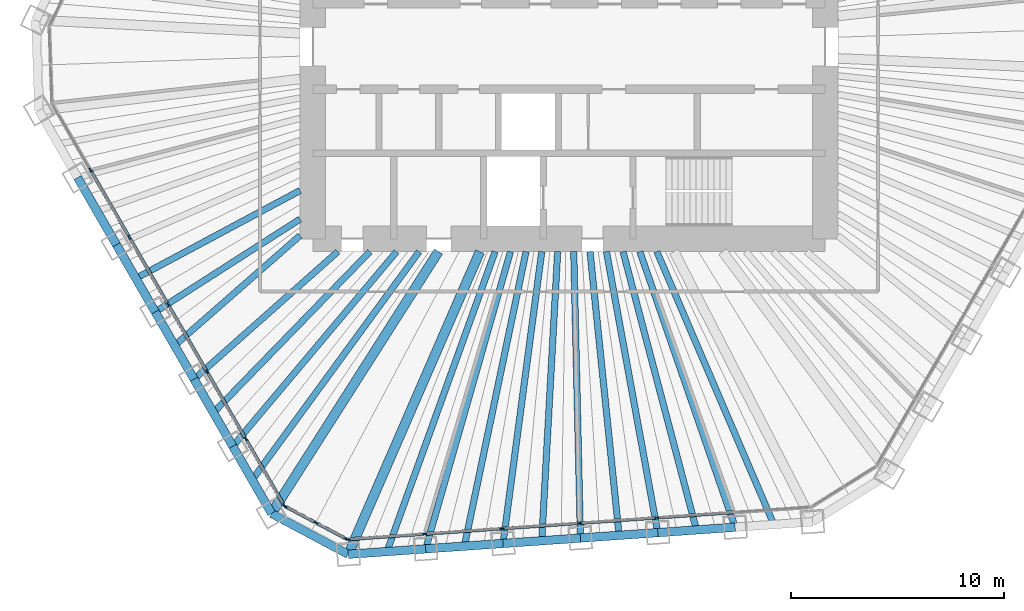
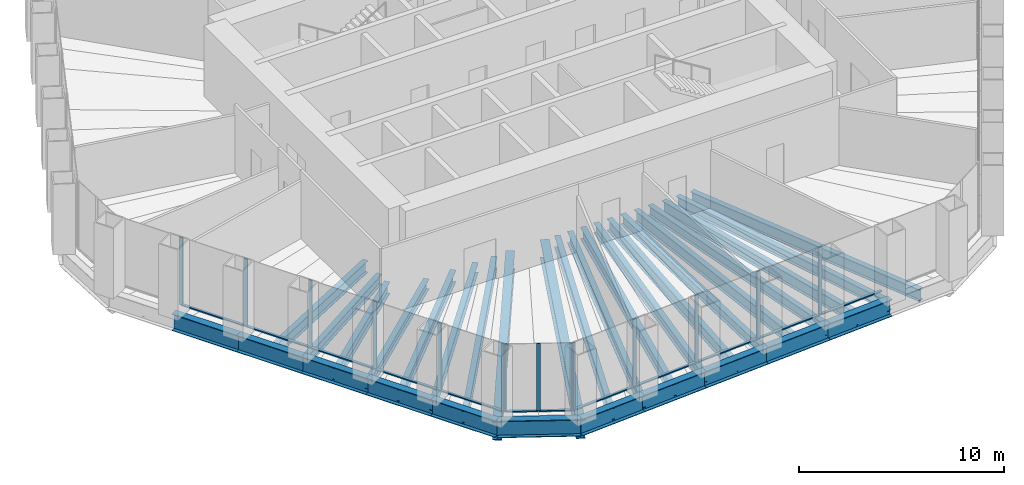
# One storey, part 2 of 13: 31 beams, 26 members, 3 elements without a shape of their own.
"""IFC4 building model written with IfcOpenShell, lengths in metres."""

from ifc_helpers import new_model, si_unit, direction, frame, origin, origin_2d, place, context, subcontext, project, spatial, rectangle, i_section, extrude, material, material_profile, profile_set, type_object, element, aggregate, save


model = new_model("IFC4")

# Units and contexts
model_context = context("Model", 3, precision=1e-05, world=origin(), true_north=direction((0.0, 1.0)))
body_context = subcontext(model_context, "Body", "Model", "MODEL_VIEW")
ifc_project = project(units=[si_unit("LENGTHUNIT", "METRE"), si_unit("AREAUNIT", "SQUARE_METRE"), si_unit("VOLUMEUNIT", "CUBIC_METRE"), si_unit("PLANEANGLEUNIT", "RADIAN"), si_unit("MASSUNIT", "GRAM", prefix="KILO")], contexts=[model_context])

# Site, building, storey
site_placement = place(None, origin())
site = spatial("IfcSite", under=ifc_project, at=site_placement, CompositionType="ELEMENT")
building_placement = place(site_placement, origin())
building = spatial("IfcBuilding", under=site, at=building_placement, Name="Qingtian Harvest Tower", CompositionType="ELEMENT")
storey_placement = place(building_placement, frame((0.0, 0.0, 209.800048828125)))
storey = spatial("IfcBuildingStorey", under=building, at=storey_placement, Name="L45", CompositionType="ELEMENT", Elevation=209.800048828125)

# Beams
ifc_material_1 = material(Name="Steel SM570MC", Category="steel")
ifc_material_profile_1 = material_profile(ifc_material_1, i_section(OverallWidth=0.449951171875, OverallDepth=1.10009765625, WebThickness=0.02197265625, FlangeThickness=0.044921875, at=origin_2d()), Name="H1100x450x22x45")
ifc_profile_set_1 = profile_set([ifc_material_profile_1], Name="Steel SM570MC")
beam_type_1 = type_object("IfcBeamType", Name="Corner floor beam FB8 H1100x450x22x45", PredefinedType="BEAM", material=ifc_profile_set_1)
beam_1_placement = place(storey_placement, frame((-10.33837890625, -23.779052734375, -0.719970703125), z_axis=(0.398714563353, 0.917075077063, 0.0), x_axis=(-0.917075077063, 0.398714563353, 0.0)))
element("IfcBeam", 1, at=beam_1_placement, inside=storey, type_object=beam_type_1, Name="Floor beam FB8 S6", PredefinedType="BEAM", context=body_context, shape_type="SweptSolid", body=[
    extrude(i_section(OverallWidth=0.449951171875, OverallDepth=1.10009765625, WebThickness=0.02197265625, FlangeThickness=0.044921875, at=origin_2d()), origin(), (0.0, 0.0, 1.0), 15.461181640625),
])
beam_2_placement = place(storey_placement, frame((-13.9326171875, -21.8681640625, -0.719970703125), z_axis=(0.537326103898, 0.8433745657, 0.0), x_axis=(-0.8433745657, 0.537326103898, 0.0)))
element("IfcBeam", 2, at=beam_2_placement, inside=storey, type_object=beam_type_1, Name="Floor beam FB8 SW0", PredefinedType="BEAM", context=body_context, shape_type="SweptSolid", body=[
    extrude(i_section(OverallWidth=0.449951171875, OverallDepth=1.10009765625, WebThickness=0.02197265625, FlangeThickness=0.044921875, at=origin_2d()), origin(), (0.0, 0.0, 1.0), 14.54638671875),
])
ifc_material_2 = material(Name="Steel SN490B", Category="steel")
ifc_material_profile_2 = material_profile(ifc_material_2, i_section(OverallWidth=0.300048828125, OverallDepth=0.699951171875, WebThickness=0.012939453125, FlangeThickness=0.02392578125, at=origin_2d()), Name="H700x300x13x24")
ifc_profile_set_2 = profile_set([ifc_material_profile_2], Name="Steel SN490B")
beam_type_2 = type_object("IfcBeamType", Name="Floor beam FB2 H700x300x13x24", PredefinedType="BEAM", material=ifc_profile_set_2)
beam_3_placement = place(storey_placement, frame((-6.713623046875, -23.525634765625, -0.52001953125), z_axis=(0.274411610503, 0.961612327303, 0.0), x_axis=(-0.961612327303, 0.274411610503, 0.0)))
element("IfcBeam", 3, at=beam_3_placement, inside=storey, type_object=beam_type_2, Name="Floor beam FB2 S5", PredefinedType="BEAM", context=body_context, shape_type="SweptSolid", body=[
    extrude(i_section(OverallWidth=0.300048828125, OverallDepth=0.699951171875, WebThickness=0.012939453125, FlangeThickness=0.02392578125, at=origin_2d()), origin(), (0.0, 0.0, 1.0), 14.4814453125),
])
ifc_material_3 = material(Name="Steel SN490B", Category="steel")
ifc_material_profile_3 = material_profile(ifc_material_3, i_section(OverallWidth=0.300048828125, OverallDepth=0.60009765625, WebThickness=0.011962890625, FlangeThickness=0.02001953125, at=origin_2d()), Name="H600x300x12x20")
ifc_profile_set_3 = profile_set([ifc_material_profile_3], Name="Steel SN490B")
beam_type_3 = type_object("IfcBeamType", Name="Floor beam FB3 H600x300x12x20", PredefinedType="BEAM", material=ifc_profile_set_3)
beam_4_placement = place(storey_placement, frame((7.78515625, -22.51171875, -0.469970703125), z_axis=(-0.326844175409, 0.945078242793, 0.0), x_axis=(-0.945078242793, -0.326844175409, 0.0)))
element("IfcBeam", 4, at=beam_4_placement, inside=storey, type_object=beam_type_3, Name="Floor beam FB3 S1", PredefinedType="BEAM", context=body_context, shape_type="SweptSolid", body=[
    extrude(i_section(OverallWidth=0.300048828125, OverallDepth=0.60009765625, WebThickness=0.011962890625, FlangeThickness=0.02001953125, at=origin_2d()), origin(), (0.0, 0.0, 1.0), 13.661865234375),
])
beam_5_placement = place(storey_placement, frame((4.160400390625, -22.76513671875, -0.469970703125), z_axis=(-0.179779537209, 0.983706926885, 0.0), x_axis=(-0.983706926885, -0.179779537209, 0.0)))
element("IfcBeam", 5, at=beam_5_placement, inside=storey, type_object=beam_type_3, Name="Floor beam FB3 S2", PredefinedType="BEAM", context=body_context, shape_type="SweptSolid", body=[
    extrude(i_section(OverallWidth=0.300048828125, OverallDepth=0.60009765625, WebThickness=0.011962890625, FlangeThickness=0.02001953125, at=origin_2d()), origin(), (0.0, 0.0, 1.0), 13.383056640625),
])
beam_6_placement = place(storey_placement, frame((0.53564453125, -23.018798828125, -0.469970703125), z_axis=(-0.023263902078, 0.999729358807, 0.0), x_axis=(-0.999729358807, -0.023263902078, 0.0)))
element("IfcBeam", 6, at=beam_6_placement, inside=storey, type_object=beam_type_3, Name="Floor beam FB3 S3", PredefinedType="BEAM", context=body_context, shape_type="SweptSolid", body=[
    extrude(i_section(OverallWidth=0.300048828125, OverallDepth=0.60009765625, WebThickness=0.011962890625, FlangeThickness=0.02001953125, at=origin_2d()), origin(), (0.0, 0.0, 1.0), 13.42236328125),
])
beam_7_placement = place(storey_placement, frame((-3.089111328125, -23.272216796875, -0.469970703125), z_axis=(0.131593229442, 0.991303799027, 0.0), x_axis=(-0.991303799027, 0.131593229442, 0.0)))
element("IfcBeam", 7, at=beam_7_placement, inside=storey, type_object=beam_type_3, Name="Floor beam FB3 S4", PredefinedType="BEAM", context=body_context, shape_type="SweptSolid", body=[
    extrude(i_section(OverallWidth=0.300048828125, OverallDepth=0.60009765625, WebThickness=0.011962890625, FlangeThickness=0.02001953125, at=origin_2d()), origin(), (0.0, 0.0, 1.0), 13.7919921875),
])
beam_8_placement = place(storey_placement, frame((-15.749267578125, -18.72119140625, -0.469970703125), z_axis=(0.643763532906, 0.765224485821, 0.0), x_axis=(-0.765224485821, 0.643763532906, 0.0)))
element("IfcBeam", 8, at=beam_8_placement, inside=storey, type_object=beam_type_3, Name="Floor beam FB3 SW1", PredefinedType="BEAM", context=body_context, shape_type="SweptSolid", body=[
    extrude(i_section(OverallWidth=0.300048828125, OverallDepth=0.60009765625, WebThickness=0.011962890625, FlangeThickness=0.02001953125, at=origin_2d()), origin(), (0.0, 0.0, 1.0), 11.91943359375),
])
beam_9_placement = place(storey_placement, frame((-17.566162109375, -15.574462890625, -0.469970703125), z_axis=(0.748259768664, 0.663405847577, 0.0), x_axis=(-0.663405847577, 0.748259768664, 0.0)))
element("IfcBeam", 9, at=beam_9_placement, inside=storey, type_object=beam_type_3, Name="Floor beam FB3 SW2", PredefinedType="BEAM", context=body_context, shape_type="SweptSolid", body=[
    extrude(i_section(OverallWidth=0.300048828125, OverallDepth=0.60009765625, WebThickness=0.011962890625, FlangeThickness=0.02001953125, at=origin_2d()), origin(), (0.0, 0.0, 1.0), 9.005615234375),
])
beam_10_placement = place(storey_placement, frame((-19.3828125, -12.427734375, -0.469970703125), z_axis=(0.841823714388, 0.539752567288, 0.0), x_axis=(-0.539752567288, 0.841823714388, 0.0)))
element("IfcBeam", 10, at=beam_10_placement, inside=storey, type_object=beam_type_3, Name="Floor beam FB3 SW3", PredefinedType="BEAM", context=body_context, shape_type="SweptSolid", body=[
    extrude(i_section(OverallWidth=0.300048828125, OverallDepth=0.60009765625, WebThickness=0.011962890625, FlangeThickness=0.02001953125, at=origin_2d()), origin(), (0.0, 0.0, 1.0), 8.05712890625),
])
ifc_material_4 = material(Name="Steel SN490B", Category="steel")
ifc_material_profile_4 = material_profile(ifc_material_4, i_section(OverallWidth=0.300048828125, OverallDepth=0.699951171875, WebThickness=0.012939453125, FlangeThickness=0.02392578125, at=origin_2d()), Name="H700x300x13x24")
ifc_profile_set_4 = profile_set([ifc_material_profile_4], Name="Steel SN490B")
beam_type_4 = type_object("IfcBeamType", Name="Floor joist J2 H700x300x13x24", PredefinedType="JOIST", material=ifc_profile_set_4)
beam_11_placement = place(storey_placement, frame((9.597412109375, -22.385009765625, -0.52001953125), z_axis=(-0.394052741766, 0.919087828614, 0.0), x_axis=(-0.919087828614, -0.394052741766, 0.0)))
element("IfcBeam", 11, at=beam_11_placement, inside=storey, type_object=beam_type_4, Name="Floor joist J2 S0", PredefinedType="JOIST", context=body_context, shape_type="SweptSolid", body=[
    extrude(i_section(OverallWidth=0.300048828125, OverallDepth=0.699951171875, WebThickness=0.012939453125, FlangeThickness=0.02392578125, at=origin_2d()), origin(), (0.0, 0.0, 1.0), 13.910400390625),
])
beam_12_placement = place(storey_placement, frame((5.97265625, -22.638427734375, -0.52001953125), z_axis=(-0.255103716232, 0.9669136952, 0.0), x_axis=(-0.9669136952, -0.255103716232, 0.0)))
element("IfcBeam", 12, at=beam_12_placement, inside=storey, type_object=beam_type_4, Name="Floor joist J2 S1", PredefinedType="JOIST", context=body_context, shape_type="SweptSolid", body=[
    extrude(i_section(OverallWidth=0.300048828125, OverallDepth=0.699951171875, WebThickness=0.012939453125, FlangeThickness=0.02392578125, at=origin_2d()), origin(), (0.0, 0.0, 1.0), 13.484375),
])
beam_13_placement = place(storey_placement, frame((2.347900390625, -22.89208984375, -0.52001953125), z_axis=(-0.102028865499, 0.994781438611, 0.0), x_axis=(-0.994781438611, -0.102028865499, 0.0)))
element("IfcBeam", 13, at=beam_13_placement, inside=storey, type_object=beam_type_4, Name="Floor joist J2 S2", PredefinedType="JOIST", context=body_context, shape_type="SweptSolid", body=[
    extrude(i_section(OverallWidth=0.300048828125, OverallDepth=0.699951171875, WebThickness=0.012939453125, FlangeThickness=0.02392578125, at=origin_2d()), origin(), (0.0, 0.0, 1.0), 13.36181640625),
])
beam_14_placement = place(storey_placement, frame((-1.276611328125, -23.1455078125, -0.52001953125), z_axis=(0.055069329716, 0.998482533109, 0.0), x_axis=(-0.998482533109, 0.055069329716, 0.0)))
element("IfcBeam", 14, at=beam_14_placement, inside=storey, type_object=beam_type_4, Name="Floor joist J2 S3", PredefinedType="JOIST", context=body_context, shape_type="SweptSolid", body=[
    extrude(i_section(OverallWidth=0.300048828125, OverallDepth=0.699951171875, WebThickness=0.012939453125, FlangeThickness=0.02392578125, at=origin_2d()), origin(), (0.0, 0.0, 1.0), 13.56591796875),
])
beam_15_placement = place(storey_placement, frame((-4.9013671875, -23.39892578125, -0.52001953125), z_axis=(0.205016322093, 0.978758554331, 0.0), x_axis=(-0.978758554331, 0.205016322093, 0.0)))
element("IfcBeam", 15, at=beam_15_placement, inside=storey, type_object=beam_type_4, Name="Floor joist J2 S4", PredefinedType="JOIST", context=body_context, shape_type="SweptSolid", body=[
    extrude(i_section(OverallWidth=0.300048828125, OverallDepth=0.699951171875, WebThickness=0.012939453125, FlangeThickness=0.02392578125, at=origin_2d()), origin(), (0.0, 0.0, 1.0), 14.098388671875),
])
beam_16_placement = place(storey_placement, frame((-8.526123046875, -23.65234375, -0.52001953125), z_axis=(0.339126305921, 0.940740850943, 0.0), x_axis=(-0.940740850943, 0.339126305921, 0.0)))
element("IfcBeam", 16, at=beam_16_placement, inside=storey, type_object=beam_type_4, Name="Floor joist J2 S5", PredefinedType="JOIST", context=body_context, shape_type="SweptSolid", body=[
    extrude(i_section(OverallWidth=0.300048828125, OverallDepth=0.699951171875, WebThickness=0.012939453125, FlangeThickness=0.02392578125, at=origin_2d()), origin(), (0.0, 0.0, 1.0), 14.9375),
])
beam_17_placement = place(storey_placement, frame((-14.841064453125, -20.294677734375, -0.52001953125), z_axis=(0.590288677526, 0.807192218238, 0.0), x_axis=(-0.807192218238, 0.590288677526, 0.0)))
element("IfcBeam", 17, at=beam_17_placement, inside=storey, type_object=beam_type_4, Name="Floor joist J2 SW0", PredefinedType="JOIST", context=body_context, shape_type="SweptSolid", body=[
    extrude(i_section(OverallWidth=0.300048828125, OverallDepth=0.699951171875, WebThickness=0.012939453125, FlangeThickness=0.02392578125, at=origin_2d()), origin(), (0.0, 0.0, 1.0), 13.2490234375),
])
beam_18_placement = place(storey_placement, frame((-16.65771484375, -17.14794921875, -0.52001953125), z_axis=(0.696777499009, 0.717287332158, 0.0), x_axis=(-0.717287332158, 0.696777499009, 0.0)))
element("IfcBeam", 18, at=beam_18_placement, inside=storey, type_object=beam_type_4, Name="Floor joist J2 SW1", PredefinedType="JOIST", context=body_context, shape_type="SweptSolid", body=[
    extrude(i_section(OverallWidth=0.300048828125, OverallDepth=0.699951171875, WebThickness=0.012939453125, FlangeThickness=0.02392578125, at=origin_2d()), origin(), (0.0, 0.0, 1.0), 10.522705078125),
])
beam_19_placement = place(storey_placement, frame((-18.474609375, -14.001220703125, -0.52001953125), z_axis=(0.751883296969, 0.659296221542, 0.0), x_axis=(-0.659296221542, 0.751883296969, 0.0)))
element("IfcBeam", 19, at=beam_19_placement, inside=storey, type_object=beam_type_4, Name="Floor joist J2 SW2", PredefinedType="JOIST", context=body_context, shape_type="SweptSolid", body=[
    extrude(i_section(OverallWidth=0.300048828125, OverallDepth=0.699951171875, WebThickness=0.012939453125, FlangeThickness=0.02392578125, at=origin_2d()), origin(), (0.0, 0.0, 1.0), 7.81298828125),
])
beam_20_placement = place(storey_placement, frame((-20.291259765625, -10.8544921875, -0.52001953125), z_axis=(0.881766503154, 0.471686160402, 0.0), x_axis=(-0.471686160402, 0.881766503154, 0.0)))
element("IfcBeam", 20, at=beam_20_placement, inside=storey, type_object=beam_type_4, Name="Floor joist J2 SW3", PredefinedType="JOIST", context=body_context, shape_type="SweptSolid", body=[
    extrude(i_section(OverallWidth=0.300048828125, OverallDepth=0.699951171875, WebThickness=0.012939453125, FlangeThickness=0.02392578125, at=origin_2d()), origin(), (0.0, 0.0, 1.0), 8.722412109375),
])

# Curtain wall, members
ifc_material_5 = material(Name="Bronze-anodised aluminium curtain wall", Category="aluminium")
curtain_wall_type = type_object("IfcCurtainWallType", Name="Curtain wall CW4 office", PredefinedType="USERDEFINED", material=ifc_material_5)
curtain_wall_1_placement = place(storey_placement, origin())
curtain_wall_1 = element("IfcCurtainWall", 21, at=curtain_wall_1_placement, inside=storey, type_object=curtain_wall_type, Name="Curtain wall CW4 L45 S0-5", ObjectType="RECESSED CURTAIN WALL", PredefinedType="USERDEFINED")
ifc_material_6 = material(Name="Bronze-anodised aluminium mullion", Category="aluminium")
ifc_material_profile_5 = material_profile(ifc_material_6, rectangle(XDim=0.06494140625, YDim=0.199951171875, at=origin_2d()), Name="AL 65x200")
ifc_profile_set_5 = profile_set([ifc_material_profile_5], Name="Bronze-anodised aluminium mullion")
member_type_1 = type_object("IfcMemberType", Name="Mullion CWM 65x200", PredefinedType="MULLION", material=ifc_profile_set_5)
member_1_placement = place(storey_placement, frame((4.111572265625, -22.06689453125, 0.0), z_axis=(0.0, 0.0, 1.0), x_axis=(0.069756473744, -0.99756405026, 0.0)))
member_1 = element("IfcMember", 22, at=member_1_placement, type_object=member_type_1, Name="CW4 mullion 3", PredefinedType="MULLION", context=body_context, shape_type="SweptSolid", body=[
    extrude(rectangle(XDim=0.06494140625, YDim=0.199951171875, at=origin_2d()), origin(), (0.0, 0.0, 1.0), 4.030029296875),
])
member_2_placement = place(storey_placement, frame((0.48681640625, -22.3203125, 0.0), z_axis=(0.0, 0.0, 1.0), x_axis=(0.069756473744, -0.99756405026, 0.0)))
member_2 = element("IfcMember", 23, at=member_2_placement, type_object=member_type_1, Name="CW4 mullion 4", PredefinedType="MULLION", context=body_context, shape_type="SweptSolid", body=[
    extrude(rectangle(XDim=0.06494140625, YDim=0.199951171875, at=origin_2d()), origin(), (0.0, 0.0, 1.0), 4.030029296875),
])
member_3_placement = place(storey_placement, frame((-3.137939453125, -22.573974609375, 0.0), z_axis=(0.0, 0.0, 1.0), x_axis=(0.069756473744, -0.99756405026, 0.0)))
member_3 = element("IfcMember", 24, at=member_3_placement, type_object=member_type_1, Name="CW4 mullion 5", PredefinedType="MULLION", context=body_context, shape_type="SweptSolid", body=[
    extrude(rectangle(XDim=0.06494140625, YDim=0.199951171875, at=origin_2d()), origin(), (0.0, 0.0, 1.0), 4.030029296875),
])
member_4_placement = place(storey_placement, frame((-6.762451171875, -22.827392578125, 0.0), z_axis=(0.0, 0.0, 1.0), x_axis=(0.069756473744, -0.99756405026, 0.0)))
member_4 = element("IfcMember", 25, at=member_4_placement, type_object=member_type_1, Name="CW4 mullion 6", PredefinedType="MULLION", context=body_context, shape_type="SweptSolid", body=[
    extrude(rectangle(XDim=0.06494140625, YDim=0.199951171875, at=origin_2d()), origin(), (0.0, 0.0, 1.0), 4.030029296875),
])
member_5_placement = place(storey_placement, frame((-10.354736328125, -23.07861328125, 0.0), z_axis=(0.0, 0.0, 1.0), x_axis=(0.069756473744, -0.99756405026, 0.0)))
member_5 = element("IfcMember", 26, at=member_5_placement, type_object=member_type_1, Name="CW4 mullion 7", PredefinedType="MULLION", context=body_context, shape_type="SweptSolid", body=[
    extrude(rectangle(XDim=0.06494140625, YDim=0.199951171875, at=origin_2d()), origin(), (0.0, 0.0, 1.0), 4.030029296875),
])

curtain_wall_2_placement = place(storey_placement, origin())
curtain_wall_2 = element("IfcCurtainWall", 27, at=curtain_wall_2_placement, inside=storey, type_object=curtain_wall_type, Name="Curtain wall CW4 L45 SC", ObjectType="RECESSED CURTAIN WALL", PredefinedType="USERDEFINED")
member_6_placement = place(storey_placement, frame((-10.416015625, -23.0654296875, 0.0), z_axis=(0.0, 0.0, 1.0), x_axis=(-0.469471562786, -0.882947592859, 0.0)))
member_6 = element("IfcMember", 28, at=member_6_placement, type_object=member_type_1, Name="CW4 mullion 1", PredefinedType="MULLION", context=body_context, shape_type="SweptSolid", body=[
    extrude(rectangle(XDim=0.06494140625, YDim=0.199951171875, at=origin_2d()), origin(), (0.0, 0.0, 1.0), 4.030029296875),
])
member_7_placement = place(storey_placement, frame((-11.85693359375, -22.29931640625, 0.0), z_axis=(0.0, 0.0, 1.0), x_axis=(-0.469471562786, -0.882947592859, 0.0)))
member_7 = element("IfcMember", 29, at=member_7_placement, type_object=member_type_1, Name="CW4 mullion 2", PredefinedType="MULLION", context=body_context, shape_type="SweptSolid", body=[
    extrude(rectangle(XDim=0.06494140625, YDim=0.199951171875, at=origin_2d()), origin(), (0.0, 0.0, 1.0), 4.030029296875),
])
member_8_placement = place(storey_placement, frame((-13.297607421875, -21.533203125, 0.0), z_axis=(0.0, 0.0, 1.0), x_axis=(-0.469471562786, -0.882947592859, 0.0)))
member_8 = element("IfcMember", 30, at=member_8_placement, type_object=member_type_1, Name="CW4 mullion 3", PredefinedType="MULLION", context=body_context, shape_type="SweptSolid", body=[
    extrude(rectangle(XDim=0.06494140625, YDim=0.199951171875, at=origin_2d()), origin(), (0.0, 0.0, 1.0), 4.030029296875),
])

curtain_wall_3_placement = place(storey_placement, origin())
curtain_wall_3 = element("IfcCurtainWall", 31, at=curtain_wall_3_placement, inside=storey, type_object=curtain_wall_type, Name="Curtain wall CW4 L45 SW0-5", ObjectType="RECESSED CURTAIN WALL", PredefinedType="USERDEFINED")
member_9_placement = place(storey_placement, frame((-13.342529296875, -21.489990234375, 0.0), z_axis=(0.0, 0.0, 1.0), x_axis=(-0.866025403784, -0.5, 0.0)))
member_9 = element("IfcMember", 32, at=member_9_placement, type_object=member_type_1, Name="CW4 mullion 1", PredefinedType="MULLION", context=body_context, shape_type="SweptSolid", body=[
    extrude(rectangle(XDim=0.06494140625, YDim=0.199951171875, at=origin_2d()), origin(), (0.0, 0.0, 1.0), 4.030029296875),
])
member_10_placement = place(storey_placement, frame((-15.14306640625, -18.371337890625, 0.0), z_axis=(0.0, 0.0, 1.0), x_axis=(-0.866025403784, -0.5, 0.0)))
member_10 = element("IfcMember", 33, at=member_10_placement, type_object=member_type_1, Name="CW4 mullion 2", PredefinedType="MULLION", context=body_context, shape_type="SweptSolid", body=[
    extrude(rectangle(XDim=0.06494140625, YDim=0.199951171875, at=origin_2d()), origin(), (0.0, 0.0, 1.0), 4.030029296875),
])
member_11_placement = place(storey_placement, frame((-16.9599609375, -15.224609375, 0.0), z_axis=(0.0, 0.0, 1.0), x_axis=(-0.866025403784, -0.5, 0.0)))
member_11 = element("IfcMember", 34, at=member_11_placement, type_object=member_type_1, Name="CW4 mullion 3", PredefinedType="MULLION", context=body_context, shape_type="SweptSolid", body=[
    extrude(rectangle(XDim=0.06494140625, YDim=0.199951171875, at=origin_2d()), origin(), (0.0, 0.0, 1.0), 4.030029296875),
])
member_12_placement = place(storey_placement, frame((-18.776611328125, -12.077880859375, 0.0), z_axis=(0.0, 0.0, 1.0), x_axis=(-0.866025403784, -0.5, 0.0)))
member_12 = element("IfcMember", 35, at=member_12_placement, type_object=member_type_1, Name="CW4 mullion 4", PredefinedType="MULLION", context=body_context, shape_type="SweptSolid", body=[
    extrude(rectangle(XDim=0.06494140625, YDim=0.199951171875, at=origin_2d()), origin(), (0.0, 0.0, 1.0), 4.030029296875),
])
member_13_placement = place(storey_placement, frame((-20.593505859375, -8.93115234375, 0.0), z_axis=(0.0, 0.0, 1.0), x_axis=(-0.866025403784, -0.5, 0.0)))
member_13 = element("IfcMember", 36, at=member_13_placement, type_object=member_type_1, Name="CW4 mullion 5", PredefinedType="MULLION", context=body_context, shape_type="SweptSolid", body=[
    extrude(rectangle(XDim=0.06494140625, YDim=0.199951171875, at=origin_2d()), origin(), (0.0, 0.0, 1.0), 4.030029296875),
])
member_14_placement = place(storey_placement, frame((-22.41015625, -5.784423828125, 0.0), z_axis=(0.0, 0.0, 1.0), x_axis=(-0.866025403784, -0.5, 0.0)))
member_14 = element("IfcMember", 37, at=member_14_placement, type_object=member_type_1, Name="CW4 mullion 6", PredefinedType="MULLION", context=body_context, shape_type="SweptSolid", body=[
    extrude(rectangle(XDim=0.06494140625, YDim=0.199951171875, at=origin_2d()), origin(), (0.0, 0.0, 1.0), 4.030029296875),
])

# Beams
ifc_material_7 = material(Name="Steel SN490B", Category="steel")
ifc_material_profile_6 = material_profile(ifc_material_7, i_section(OverallWidth=0.39990234375, OverallDepth=1.0, WebThickness=0.01904296875, FlangeThickness=0.035888671875, at=origin_2d()), Name="H1000x400x19x36")
ifc_profile_set_6 = profile_set([ifc_material_profile_6], Name="Steel SN490B")
beam_type_5 = type_object("IfcBeamType", Name="Spandrel beam SB3 H1000x400x19x36", PredefinedType="SPANDREL", material=ifc_profile_set_6)
for number, where, z_axis, x_axis, name in (
    (38, (7.78515625, -22.51171875, -0.5), (-0.997565001055, -0.069742875402, 0.0), (0.069742875402, -0.997565001055, 0.0), "Spandrel SB3 S1"),
    (39, (4.160400390625, -22.76513671875, -0.5), (-0.997560324246, -0.069809737785, 0.0), (0.069809737785, -0.997560324246, 0.0), "Spandrel SB3 S2"),
    (40, (0.53564453125, -23.018798828125, -0.5), (-0.997565001055, -0.069742875402, 0.0), (0.069742875402, -0.997565001055, 0.0), "Spandrel SB3 S3"),
):
    element("IfcBeam", number, at=place(storey_placement, frame(where, z_axis=z_axis, x_axis=x_axis)), inside=storey, type_object=beam_type_5, Name=name, PredefinedType="SPANDREL", context=body_context, shape_type="SweptSolid", body=[
        extrude(i_section(OverallWidth=0.39990234375, OverallDepth=1.0, WebThickness=0.01904296875, FlangeThickness=0.035888671875, at=origin_2d()), origin(), (0.0, 0.0, 1.0), 3.633544921875),
    ])
beam_21_placement = place(storey_placement, frame((-3.089111328125, -23.272216796875, -0.5), z_axis=(-0.997564674207, -0.069747550305, 0.0), x_axis=(0.069747550305, -0.997564674207, 0.0)))
element("IfcBeam", 41, at=beam_21_placement, inside=storey, type_object=beam_type_5, Name="Spandrel SB3 S4", PredefinedType="SPANDREL", context=body_context, shape_type="SweptSolid", body=[
    extrude(i_section(OverallWidth=0.39990234375, OverallDepth=1.0, WebThickness=0.01904296875, FlangeThickness=0.035888671875, at=origin_2d()), origin(), (0.0, 0.0, 1.0), 3.63330078125),
])
beam_22_placement = place(storey_placement, frame((-6.713623046875, -23.525634765625, -0.5), z_axis=(-0.997565001055, -0.069742875402, 0.0), x_axis=(0.069742875402, -0.997565001055, 0.0)))
element("IfcBeam", 42, at=beam_22_placement, inside=storey, type_object=beam_type_5, Name="Spandrel SB3 S5", PredefinedType="SPANDREL", context=body_context, shape_type="SweptSolid", body=[
    extrude(i_section(OverallWidth=0.39990234375, OverallDepth=1.0, WebThickness=0.01904296875, FlangeThickness=0.035888671875, at=origin_2d()), origin(), (0.0, 0.0, 1.0), 3.633544921875),
])
beam_23_placement = place(storey_placement, frame((-10.33837890625, -23.779052734375, -0.5), z_axis=(-0.882968133669, 0.469432929101, 0.0), x_axis=(-0.469432929101, -0.882968133669, 0.0)))
element("IfcBeam", 43, at=beam_23_placement, inside=storey, type_object=beam_type_5, Name="Spandrel SB3 SC", PredefinedType="SPANDREL", context=body_context, shape_type="SweptSolid", body=[
    extrude(i_section(OverallWidth=0.39990234375, OverallDepth=1.0, WebThickness=0.01904296875, FlangeThickness=0.035888671875, at=origin_2d()), origin(), (0.0, 0.0, 1.0), 4.070556640625),
])
beam_24_placement = place(storey_placement, frame((-13.9326171875, -21.8681640625, -0.5), z_axis=(-0.499947341849, 0.866055803848, 0.0), x_axis=(-0.866055803848, -0.499947341849, 0.0)))
element("IfcBeam", 44, at=beam_24_placement, inside=storey, type_object=beam_type_5, Name="Spandrel SB3 SW0", PredefinedType="SPANDREL", context=body_context, shape_type="SweptSolid", body=[
    extrude(i_section(OverallWidth=0.39990234375, OverallDepth=1.0, WebThickness=0.01904296875, FlangeThickness=0.035888671875, at=origin_2d()), origin(), (0.0, 0.0, 1.0), 3.6337890625),
])
for number, where, z_axis, x_axis, name in (
    (45, (-15.749267578125, -18.72119140625, -0.5), (-0.500026827678, 0.866009914263, 0.0), (-0.866009914263, -0.500026827678, 0.0), "Spandrel SB3 SW1"),
    (46, (-17.566162109375, -15.574462890625, -0.5), (-0.499976434558, 0.866039008871, 0.0), (-0.866039008871, -0.499976434558, 0.0), "Spandrel SB3 SW2"),
    (47, (-19.3828125, -12.427734375, -0.5), (-0.500026827678, 0.866009914263, 0.0), (-0.866009914263, -0.500026827678, 0.0), "Spandrel SB3 SW3"),
    (48, (-21.19970703125, -9.281005859375, -0.5), (-0.499976434558, 0.866039008871, 0.0), (-0.866039008871, -0.499976434558, 0.0), "Spandrel SB3 SW4"),
):
    element("IfcBeam", number, at=place(storey_placement, frame(where, z_axis=z_axis, x_axis=x_axis)), inside=storey, type_object=beam_type_5, Name=name, PredefinedType="SPANDREL", context=body_context, shape_type="SweptSolid", body=[
        extrude(i_section(OverallWidth=0.39990234375, OverallDepth=1.0, WebThickness=0.01904296875, FlangeThickness=0.035888671875, at=origin_2d()), origin(), (0.0, 0.0, 1.0), 3.633544921875),
    ])

# Member
ifc_material_8 = material(Name="Bronze-anodised aluminium transom", Category="aluminium")
ifc_material_profile_7 = material_profile(ifc_material_8, rectangle(XDim=0.14990234375, YDim=0.06494140625, at=origin_2d()), Name="AL 65x150")
ifc_profile_set_7 = profile_set([ifc_material_profile_7], Name="Bronze-anodised aluminium transom")
member_type_2 = type_object("IfcMemberType", Name="Transom CWT 65x150", PredefinedType="USERDEFINED", material=ifc_profile_set_7)
member_15_placement = place(storey_placement, frame((7.703857421875, -21.815673828125, 0.032470703125), z_axis=(-0.997562159126, -0.069783512949, 0.0), x_axis=(0.069783512949, -0.997562159126, 0.0)))
member_15 = element("IfcMember", 49, at=member_15_placement, type_object=member_type_2, Name="CW4 transom 2.1", ObjectType="TRANSOM", PredefinedType="USERDEFINED", context=body_context, shape_type="SweptSolid", body=[
    extrude(rectangle(XDim=0.14990234375, YDim=0.06494140625, at=origin_2d()), origin(), (0.0, 0.0, 1.0), 3.568603515625),
])

member_16_placement = place(storey_placement, frame((4.0791015625, -22.0693359375, 0.032470703125), z_axis=(-0.99756691944, -0.069715430417, 0.0), x_axis=(0.069715430417, -0.99756691944, 0.0)))
member_16 = element("IfcMember", 50, at=member_16_placement, type_object=member_type_2, Name="CW4 transom 3.1", ObjectType="TRANSOM", PredefinedType="USERDEFINED", context=body_context, shape_type="SweptSolid", body=[
    extrude(rectangle(XDim=0.14990234375, YDim=0.06494140625, at=origin_2d()), origin(), (0.0, 0.0, 1.0), 3.568603515625),
])

member_17_placement = place(storey_placement, frame((0.454345703125, -22.32275390625, 0.032470703125), z_axis=(-0.99756691944, -0.069715430417, 0.0), x_axis=(0.069715430417, -0.99756691944, 0.0)))
member_17 = element("IfcMember", 51, at=member_17_placement, type_object=member_type_2, Name="CW4 transom 4.1", ObjectType="TRANSOM", PredefinedType="USERDEFINED", context=body_context, shape_type="SweptSolid", body=[
    extrude(rectangle(XDim=0.14990234375, YDim=0.06494140625, at=origin_2d()), origin(), (0.0, 0.0, 1.0), 3.568603515625),
])

member_18_placement = place(storey_placement, frame((-3.170166015625, -22.576171875, 0.032470703125), z_axis=(-0.997567251922, -0.069710672727, 0.0), x_axis=(0.069710672727, -0.997567251922, 0.0)))
member_18 = element("IfcMember", 52, at=member_18_placement, type_object=member_type_2, Name="CW4 transom 5.1", ObjectType="TRANSOM", PredefinedType="USERDEFINED", context=body_context, shape_type="SweptSolid", body=[
    extrude(rectangle(XDim=0.14990234375, YDim=0.06494140625, at=origin_2d()), origin(), (0.0, 0.0, 1.0), 3.56884765625),
])

member_19_placement = place(storey_placement, frame((-6.794921875, -22.82958984375, 0.032470703125), z_axis=(-0.997565839557, -0.069730880888, 0.0), x_axis=(0.069730880888, -0.997565839557, 0.0)))
member_19 = element("IfcMember", 53, at=member_19_placement, type_object=member_type_2, Name="CW4 transom 6.1", ObjectType="TRANSOM", PredefinedType="USERDEFINED", context=body_context, shape_type="SweptSolid", body=[
    extrude(rectangle(XDim=0.14990234375, YDim=0.06494140625, at=origin_2d()), origin(), (0.0, 0.0, 1.0), 3.5361328125),
])

aggregate(curtain_wall_1, [member_1, member_2, member_3, member_4, member_5, member_15, member_16, member_17, member_18, member_19])

member_20_placement = place(storey_placement, frame((-10.444580078125, -23.05029296875, 0.032470703125), z_axis=(-0.882960338349, 0.46944759122, 0.0), x_axis=(-0.46944759122, -0.882960338349, 0.0)))
member_20 = element("IfcMember", 54, at=member_20_placement, type_object=member_type_2, Name="CW4 transom 1.1", ObjectType="TRANSOM", PredefinedType="USERDEFINED", context=body_context, shape_type="SweptSolid", body=[
    extrude(rectangle(XDim=0.14990234375, YDim=0.06494140625, at=origin_2d()), origin(), (0.0, 0.0, 1.0), 1.56689453125),
])

member_21_placement = place(storey_placement, frame((-11.885498046875, -22.2841796875, 0.032470703125), z_axis=(-0.882960338349, 0.46944759122, 0.0), x_axis=(-0.46944759122, -0.882960338349, 0.0)))
member_21 = element("IfcMember", 55, at=member_21_placement, type_object=member_type_2, Name="CW4 transom 2.1", ObjectType="TRANSOM", PredefinedType="USERDEFINED", context=body_context, shape_type="SweptSolid", body=[
    extrude(rectangle(XDim=0.14990234375, YDim=0.06494140625, at=origin_2d()), origin(), (0.0, 0.0, 1.0), 1.56689453125),
])

aggregate(curtain_wall_2, [member_6, member_7, member_8, member_20, member_21])

member_22_placement = place(storey_placement, frame((-13.35888671875, -21.461669921875, 0.032470703125), z_axis=(-0.500015305566, 0.866016566931, 0.0), x_axis=(-0.866016566931, -0.500015305566, 0.0)))
member_22 = element("IfcMember", 56, at=member_22_placement, type_object=member_type_2, Name="CW4 transom 1.1", ObjectType="TRANSOM", PredefinedType="USERDEFINED", context=body_context, shape_type="SweptSolid", body=[
    extrude(rectangle(XDim=0.14990234375, YDim=0.06494140625, at=origin_2d()), origin(), (0.0, 0.0, 1.0), 3.5361328125),
])

member_23_placement = place(storey_placement, frame((-15.159423828125, -18.34326171875, 0.032470703125), z_axis=(-0.499965259726, 0.866045460162, 0.0), x_axis=(-0.866045460162, -0.499965259726, 0.0)))
member_23 = element("IfcMember", 57, at=member_23_placement, type_object=member_type_2, Name="CW4 transom 2.1", ObjectType="TRANSOM", PredefinedType="USERDEFINED", context=body_context, shape_type="SweptSolid", body=[
    extrude(rectangle(XDim=0.14990234375, YDim=0.06494140625, at=origin_2d()), origin(), (0.0, 0.0, 1.0), 3.568603515625),
])

member_24_placement = place(storey_placement, frame((-16.97607421875, -15.1962890625, 0.032470703125), z_axis=(-0.500046194516, 0.865998731726, 0.0), x_axis=(-0.865998731726, -0.500046194516, 0.0)))
member_24 = element("IfcMember", 58, at=member_24_placement, type_object=member_type_2, Name="CW4 transom 3.1", ObjectType="TRANSOM", PredefinedType="USERDEFINED", context=body_context, shape_type="SweptSolid", body=[
    extrude(rectangle(XDim=0.14990234375, YDim=0.06494140625, at=origin_2d()), origin(), (0.0, 0.0, 1.0), 3.568603515625),
])

member_25_placement = place(storey_placement, frame((-18.79296875, -12.049560546875, 0.032470703125), z_axis=(-0.499994883695, 0.866028357664, 0.0), x_axis=(-0.866028357664, -0.499994883695, 0.0)))
member_25 = element("IfcMember", 59, at=member_25_placement, type_object=member_type_2, Name="CW4 transom 4.1", ObjectType="TRANSOM", PredefinedType="USERDEFINED", context=body_context, shape_type="SweptSolid", body=[
    extrude(rectangle(XDim=0.14990234375, YDim=0.06494140625, at=origin_2d()), origin(), (0.0, 0.0, 1.0), 3.568359375),
])

member_26_placement = place(storey_placement, frame((-20.609619140625, -8.90283203125, 0.032470703125), z_axis=(-0.500046194516, 0.865998731726, 0.0), x_axis=(-0.865998731726, -0.500046194516, 0.0)))
member_26 = element("IfcMember", 60, at=member_26_placement, type_object=member_type_2, Name="CW4 transom 5.1", ObjectType="TRANSOM", PredefinedType="USERDEFINED", context=body_context, shape_type="SweptSolid", body=[
    extrude(rectangle(XDim=0.14990234375, YDim=0.06494140625, at=origin_2d()), origin(), (0.0, 0.0, 1.0), 3.568603515625),
])

aggregate(curtain_wall_3, [member_9, member_10, member_11, member_12, member_13, member_14, member_22, member_23, member_24, member_25, member_26])

save(model, "model.ifc")
